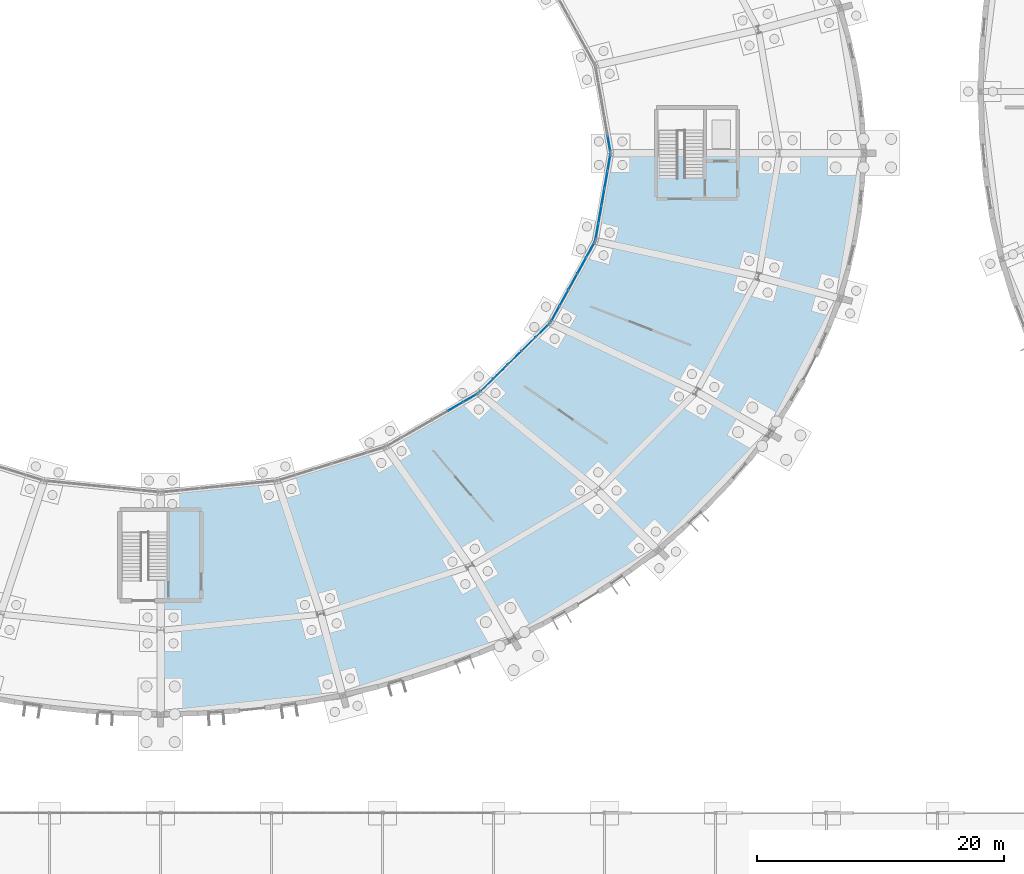
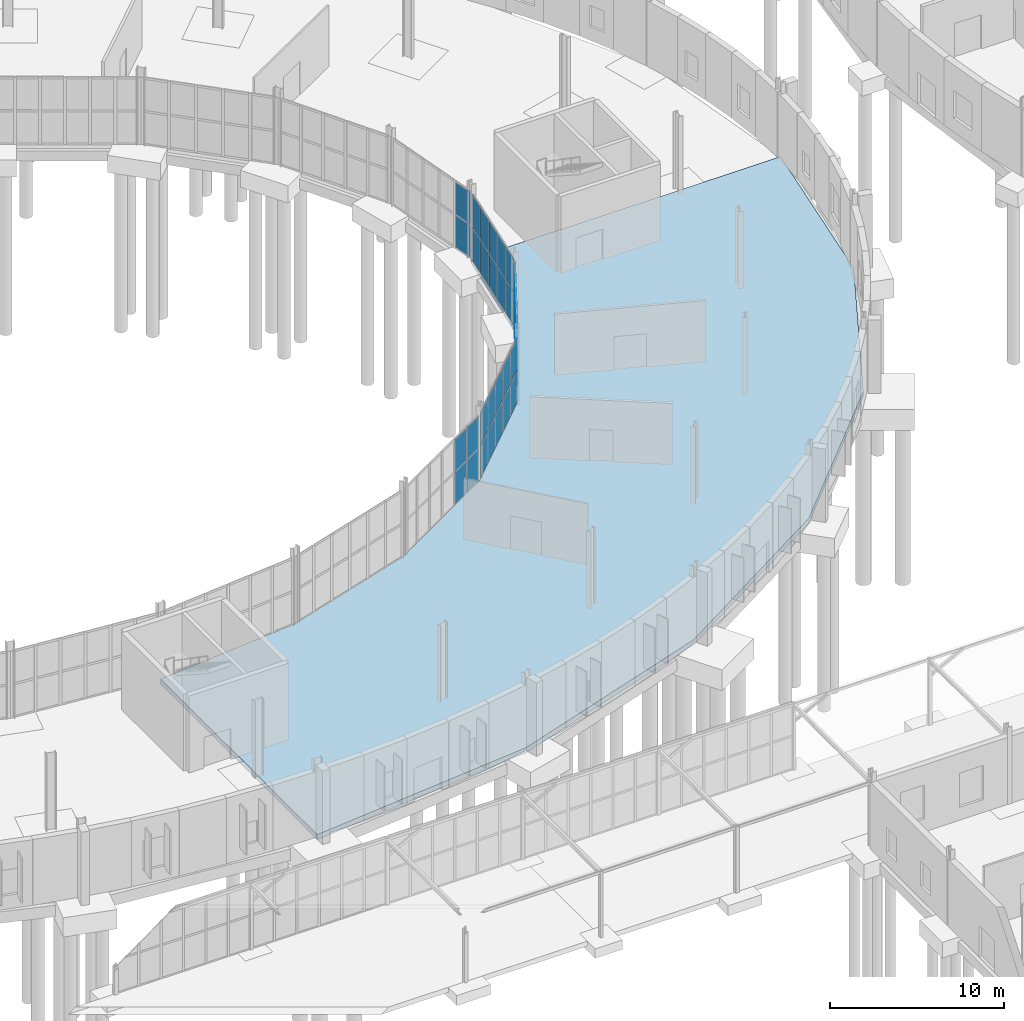
# One storey, part 76 of 118: 36 plates, 1 slab, 5 elements without a shape of their own.
"""IFC4 building model written with IfcOpenShell, lengths in metres."""

from ifc_helpers import new_model, si_unit, direction, frame, origin, origin_2d, place, context, subcontext, project, spatial, polyline, rectangle, outline, extrude, material, layer, layer_set, type_object, element, aggregate, save


model = new_model("IFC4")

# Units and contexts
model_context = context("Model", 3, precision=1e-05, world=origin(), true_north=direction((0.0, 1.0)))
body_context = subcontext(model_context, "Body", "Model", "MODEL_VIEW")
ifc_project = project(units=[si_unit("LENGTHUNIT", "METRE"), si_unit("AREAUNIT", "SQUARE_METRE"), si_unit("VOLUMEUNIT", "CUBIC_METRE"), si_unit("PLANEANGLEUNIT", "RADIAN"), si_unit("MASSUNIT", "GRAM", prefix="KILO")], contexts=[model_context])

# Site, building, storey
site_placement = place(None, origin())
site = spatial("IfcSite", under=ifc_project, at=site_placement, CompositionType="ELEMENT")
building_placement = place(site_placement, origin())
building = spatial("IfcBuilding", under=site, at=building_placement, Name="Kildeholm Park Wholesale Market", CompositionType="ELEMENT")
storey_placement = place(building_placement, origin())
storey = spatial("IfcBuildingStorey", under=building, at=storey_placement, Name="L00", CompositionType="ELEMENT", Elevation=0.0)

# Curtain wall, plates
ifc_material_1 = material(Name="Anodised aluminium and low-E double-glazed glass", Category="aluminium")
curtain_wall_type = type_object("IfcCurtainWallType", Name="Market hall glazed arcade stick curtain wall CW-01", PredefinedType="NOTDEFINED", material=ifc_material_1)
curtain_wall_1_placement = place(storey_placement, origin())
curtain_wall_1 = element("IfcCurtainWall", 1, at=curtain_wall_1_placement, inside=storey, type_object=curtain_wall_type, Name="Curtain wall CW-V1-IN0-00 CW-0003", PredefinedType="NOTDEFINED")
ifc_material_2 = material(Name="Double-glazed low-E insulated glass", Category="glass")
ifc_layer_1 = layer(ifc_material_2, 0.028076171875)
ifc_layer_set_1 = layer_set([ifc_layer_1], Name="Double-glazed low-E insulated glass")
plate_type = type_object("IfcPlateType", Name="Curtain-wall panel CWP-1 28 mm", PredefinedType="CURTAIN_PANEL", material=ifc_layer_set_1)
plate_1_placement = place(storey_placement, frame((135.374267578125, 90.260009765625, 0.06494140625), z_axis=(0.0, 0.0, 1.0), x_axis=(-0.172132515628, 0.985073802851, 0.0)))
plate_1 = element("IfcPlate", 2, at=plate_1_placement, type_object=plate_type, Name="CW-01 panel 1.1 PLT-0202", PredefinedType="CURTAIN_PANEL", context=body_context, shape_type="SweptSolid", body=[
    extrude(rectangle(XDim=1.33154296875, YDim=0.028076171875, at=origin_2d()), origin(), (0.0, 0.0, 1.0), 2.25244140625),
])
plate_2_placement = place(storey_placement, frame((135.374267578125, 90.260009765625, 2.382568359375), z_axis=(0.0, 0.0, 1.0), x_axis=(-0.172132515628, 0.985073802851, 0.0)))
plate_2 = element("IfcPlate", 3, at=plate_2_placement, type_object=plate_type, Name="CW-01 panel 1.2 PLT-0203", PredefinedType="CURTAIN_PANEL", context=body_context, shape_type="SweptSolid", body=[
    extrude(rectangle(XDim=1.33154296875, YDim=0.028076171875, at=origin_2d()), origin(), (0.0, 0.0, 1.0), 2.25244140625),
])
aggregate(curtain_wall_1, [plate_1, plate_2])

curtain_wall_2_placement = place(storey_placement, origin())
curtain_wall_2 = element("IfcCurtainWall", 4, at=curtain_wall_2_placement, inside=storey, type_object=curtain_wall_type, Name="Curtain wall CW-V1-IN0-20 CW-0101", PredefinedType="NOTDEFINED")
plate_3_placement = place(storey_placement, frame((122.905517578125, 68.948486328125, 0.06494140625), z_axis=(0.0, 0.0, 1.0), x_axis=(0.865742656621, 0.500489412982, 0.0)))
plate_3 = element("IfcPlate", 5, at=plate_3_placement, type_object=plate_type, Name="CW-01 panel 5.1 PLT-1530", PredefinedType="CURTAIN_PANEL", context=body_context, shape_type="SweptSolid", body=[
    extrude(rectangle(XDim=1.376953125, YDim=0.028076171875, at=origin_2d()), origin(), (0.0, 0.0, 1.0), 2.25244140625),
])
plate_4_placement = place(storey_placement, frame((122.905517578125, 68.948486328125, 2.382568359375), z_axis=(0.0, 0.0, 1.0), x_axis=(0.865742656621, 0.500489412982, 0.0)))
plate_4 = element("IfcPlate", 6, at=plate_4_placement, type_object=plate_type, Name="CW-01 panel 5.2 PLT-1531", PredefinedType="CURTAIN_PANEL", context=body_context, shape_type="SweptSolid", body=[
    extrude(rectangle(XDim=1.376953125, YDim=0.028076171875, at=origin_2d()), origin(), (0.0, 0.0, 1.0), 2.25244140625),
])
plate_5_placement = place(storey_placement, frame((124.1396484375, 69.662109375, 0.06494140625), z_axis=(0.0, 0.0, 1.0), x_axis=(0.865742656621, 0.500489412982, 0.0)))
plate_5 = element("IfcPlate", 7, at=plate_5_placement, type_object=plate_type, Name="CW-01 panel 6.1 PLT-1532", PredefinedType="CURTAIN_PANEL", context=body_context, shape_type="SweptSolid", body=[
    extrude(rectangle(XDim=1.344482421875, YDim=0.028076171875, at=origin_2d()), origin(), (0.0, 0.0, 1.0), 2.25244140625),
])
plate_6_placement = place(storey_placement, frame((124.1396484375, 69.662109375, 2.382568359375), z_axis=(0.0, 0.0, 1.0), x_axis=(0.865742656621, 0.500489412982, 0.0)))
plate_6 = element("IfcPlate", 8, at=plate_6_placement, type_object=plate_type, Name="CW-01 panel 6.2 PLT-1533", PredefinedType="CURTAIN_PANEL", context=body_context, shape_type="SweptSolid", body=[
    extrude(rectangle(XDim=1.344482421875, YDim=0.028076171875, at=origin_2d()), origin(), (0.0, 0.0, 1.0), 2.25244140625),
])
aggregate(curtain_wall_2, [plate_3, plate_4, plate_5, plate_6])

curtain_wall_3_placement = place(storey_placement, origin())
curtain_wall_3 = element("IfcCurtainWall", 9, at=curtain_wall_3_placement, inside=storey, type_object=curtain_wall_type, Name="Curtain wall CW-V1-IN0-21 CW-0106", PredefinedType="NOTDEFINED")
plate_7_placement = place(storey_placement, frame((125.428955078125, 70.6552734375, 0.06494140625), z_axis=(0.0, 0.0, 1.0), x_axis=(0.713537995789, 0.700616534607, 0.0)))
plate_7 = element("IfcPlate", 10, at=plate_7_placement, type_object=plate_type, Name="CW-01 panel 1.1 PLT-1590", PredefinedType="CURTAIN_PANEL", context=body_context, shape_type="SweptSolid", body=[
    extrude(rectangle(XDim=1.51220703125, YDim=0.028076171875, at=origin_2d()), origin(), (0.0, 0.0, 1.0), 2.25244140625),
])
plate_8_placement = place(storey_placement, frame((125.428955078125, 70.6552734375, 2.382568359375), z_axis=(0.0, 0.0, 1.0), x_axis=(0.713537995789, 0.700616534607, 0.0)))
plate_8 = element("IfcPlate", 11, at=plate_8_placement, type_object=plate_type, Name="CW-01 panel 1.2 PLT-1591", PredefinedType="CURTAIN_PANEL", context=body_context, shape_type="SweptSolid", body=[
    extrude(rectangle(XDim=1.51220703125, YDim=0.028076171875, at=origin_2d()), origin(), (0.0, 0.0, 1.0), 2.25244140625),
])
plate_9_placement = place(storey_placement, frame((126.56591796875, 71.771728515625, 0.06494140625), z_axis=(0.0, 0.0, 1.0), x_axis=(0.713537995789, 0.700616534607, 0.0)))
plate_9 = element("IfcPlate", 12, at=plate_9_placement, type_object=plate_type, Name="CW-01 panel 2.1 PLT-1592", PredefinedType="CURTAIN_PANEL", context=body_context, shape_type="SweptSolid", body=[
    extrude(rectangle(XDim=1.544677734375, YDim=0.028076171875, at=origin_2d()), origin(), (0.0, 0.0, 1.0), 2.25244140625),
])
plate_10_placement = place(storey_placement, frame((126.56591796875, 71.771728515625, 2.382568359375), z_axis=(0.0, 0.0, 1.0), x_axis=(0.713537995789, 0.700616534607, 0.0)))
plate_10 = element("IfcPlate", 13, at=plate_10_placement, type_object=plate_type, Name="CW-01 panel 2.2 PLT-1593", PredefinedType="CURTAIN_PANEL", context=body_context, shape_type="SweptSolid", body=[
    extrude(rectangle(XDim=1.544677734375, YDim=0.028076171875, at=origin_2d()), origin(), (0.0, 0.0, 1.0), 2.25244140625),
])
plate_11_placement = place(storey_placement, frame((127.714599609375, 72.8994140625, 0.06494140625), z_axis=(0.0, 0.0, 1.0), x_axis=(0.713537995789, 0.700616534607, 0.0)))
plate_11 = element("IfcPlate", 14, at=plate_11_placement, type_object=plate_type, Name="CW-01 panel 3.1 PLT-1594", PredefinedType="CURTAIN_PANEL", context=body_context, shape_type="SweptSolid", body=[
    extrude(rectangle(XDim=1.544677734375, YDim=0.028076171875, at=origin_2d()), origin(), (0.0, 0.0, 1.0), 2.25244140625),
])
plate_12_placement = place(storey_placement, frame((127.714599609375, 72.8994140625, 2.382568359375), z_axis=(0.0, 0.0, 1.0), x_axis=(0.713537995789, 0.700616534607, 0.0)))
plate_12 = element("IfcPlate", 15, at=plate_12_placement, type_object=plate_type, Name="CW-01 panel 3.2 PLT-1595", PredefinedType="CURTAIN_PANEL", context=body_context, shape_type="SweptSolid", body=[
    extrude(rectangle(XDim=1.544677734375, YDim=0.028076171875, at=origin_2d()), origin(), (0.0, 0.0, 1.0), 2.25244140625),
])
plate_13_placement = place(storey_placement, frame((128.863037109375, 74.02734375, 0.06494140625), z_axis=(0.0, 0.0, 1.0), x_axis=(0.713537995789, 0.700616534607, 0.0)))
plate_13 = element("IfcPlate", 16, at=plate_13_placement, type_object=plate_type, Name="CW-01 panel 4.1 PLT-1596", PredefinedType="CURTAIN_PANEL", context=body_context, shape_type="SweptSolid", body=[
    extrude(rectangle(XDim=1.544677734375, YDim=0.028076171875, at=origin_2d()), origin(), (0.0, 0.0, 1.0), 2.25244140625),
])
plate_14_placement = place(storey_placement, frame((128.863037109375, 74.02734375, 2.382568359375), z_axis=(0.0, 0.0, 1.0), x_axis=(0.713537995789, 0.700616534607, 0.0)))
plate_14 = element("IfcPlate", 17, at=plate_14_placement, type_object=plate_type, Name="CW-01 panel 4.2 PLT-1597", PredefinedType="CURTAIN_PANEL", context=body_context, shape_type="SweptSolid", body=[
    extrude(rectangle(XDim=1.544677734375, YDim=0.028076171875, at=origin_2d()), origin(), (0.0, 0.0, 1.0), 2.25244140625),
])
plate_15_placement = place(storey_placement, frame((130.0, 75.143798828125, 0.06494140625), z_axis=(0.0, 0.0, 1.0), x_axis=(0.713537995789, 0.700616534607, 0.0)))
plate_15 = element("IfcPlate", 18, at=plate_15_placement, type_object=plate_type, Name="CW-01 panel 5.1 PLT-1598", PredefinedType="CURTAIN_PANEL", context=body_context, shape_type="SweptSolid", body=[
    extrude(rectangle(XDim=1.51220703125, YDim=0.028076171875, at=origin_2d()), origin(), (0.0, 0.0, 1.0), 2.25244140625),
])
plate_16_placement = place(storey_placement, frame((130.0, 75.143798828125, 2.382568359375), z_axis=(0.0, 0.0, 1.0), x_axis=(0.713537995789, 0.700616534607, 0.0)))
plate_16 = element("IfcPlate", 19, at=plate_16_placement, type_object=plate_type, Name="CW-01 panel 5.2 PLT-1599", PredefinedType="CURTAIN_PANEL", context=body_context, shape_type="SweptSolid", body=[
    extrude(rectangle(XDim=1.51220703125, YDim=0.028076171875, at=origin_2d()), origin(), (0.0, 0.0, 1.0), 2.25244140625),
])
aggregate(curtain_wall_3, [plate_7, plate_8, plate_9, plate_10, plate_11, plate_12, plate_13, plate_14, plate_15, plate_16])

curtain_wall_4_placement = place(storey_placement, origin())
curtain_wall_4 = element("IfcCurtainWall", 20, at=curtain_wall_4_placement, inside=storey, type_object=curtain_wall_type, Name="Curtain wall CW-V1-IN0-22 CW-0111", PredefinedType="NOTDEFINED")
plate_17_placement = place(storey_placement, frame((131.003662109375, 76.45361328125, 0.06494140625), z_axis=(0.0, 0.0, 1.0), x_axis=(0.481749595055, 0.876308922506, 0.0)))
plate_17 = element("IfcPlate", 21, at=plate_17_placement, type_object=plate_type, Name="CW-01 panel 1.1 PLT-1650", PredefinedType="CURTAIN_PANEL", context=body_context, shape_type="SweptSolid", body=[
    extrude(rectangle(XDim=1.400390625, YDim=0.028076171875, at=origin_2d()), origin(), (0.0, 0.0, 1.0), 2.25244140625),
])
plate_18_placement = place(storey_placement, frame((131.003662109375, 76.45361328125, 2.382568359375), z_axis=(0.0, 0.0, 1.0), x_axis=(0.481749595055, 0.876308922506, 0.0)))
plate_18 = element("IfcPlate", 22, at=plate_18_placement, type_object=plate_type, Name="CW-01 panel 1.2 PLT-1651", PredefinedType="CURTAIN_PANEL", context=body_context, shape_type="SweptSolid", body=[
    extrude(rectangle(XDim=1.400390625, YDim=0.028076171875, at=origin_2d()), origin(), (0.0, 0.0, 1.0), 2.25244140625),
])
plate_19_placement = place(storey_placement, frame((131.71728515625, 77.751953125, 0.06494140625), z_axis=(0.0, 0.0, 1.0), x_axis=(0.481749595055, 0.876308922506, 0.0)))
plate_19 = element("IfcPlate", 23, at=plate_19_placement, type_object=plate_type, Name="CW-01 panel 2.1 PLT-1652", PredefinedType="CURTAIN_PANEL", context=body_context, shape_type="SweptSolid", body=[
    extrude(rectangle(XDim=1.432861328125, YDim=0.028076171875, at=origin_2d()), origin(), (0.0, 0.0, 1.0), 2.25244140625),
])
plate_20_placement = place(storey_placement, frame((131.71728515625, 77.751953125, 2.382568359375), z_axis=(0.0, 0.0, 1.0), x_axis=(0.481749595055, 0.876308922506, 0.0)))
plate_20 = element("IfcPlate", 24, at=plate_20_placement, type_object=plate_type, Name="CW-01 panel 2.2 PLT-1653", PredefinedType="CURTAIN_PANEL", context=body_context, shape_type="SweptSolid", body=[
    extrude(rectangle(XDim=1.432861328125, YDim=0.028076171875, at=origin_2d()), origin(), (0.0, 0.0, 1.0), 2.25244140625),
])
plate_21_placement = place(storey_placement, frame((132.43896484375, 79.064453125, 0.06494140625), z_axis=(0.0, 0.0, 1.0), x_axis=(0.481749595055, 0.876308922506, 0.0)))
plate_21 = element("IfcPlate", 25, at=plate_21_placement, type_object=plate_type, Name="CW-01 panel 3.1 PLT-1654", PredefinedType="CURTAIN_PANEL", context=body_context, shape_type="SweptSolid", body=[
    extrude(rectangle(XDim=1.432861328125, YDim=0.028076171875, at=origin_2d()), origin(), (0.0, 0.0, 1.0), 2.25244140625),
])
plate_22_placement = place(storey_placement, frame((132.43896484375, 79.064453125, 2.382568359375), z_axis=(0.0, 0.0, 1.0), x_axis=(0.481749595055, 0.876308922506, 0.0)))
plate_22 = element("IfcPlate", 26, at=plate_22_placement, type_object=plate_type, Name="CW-01 panel 3.2 PLT-1655", PredefinedType="CURTAIN_PANEL", context=body_context, shape_type="SweptSolid", body=[
    extrude(rectangle(XDim=1.432861328125, YDim=0.028076171875, at=origin_2d()), origin(), (0.0, 0.0, 1.0), 2.25244140625),
])
plate_23_placement = place(storey_placement, frame((133.16064453125, 80.377197265625, 0.06494140625), z_axis=(0.0, 0.0, 1.0), x_axis=(0.481749595055, 0.876308922506, 0.0)))
plate_23 = element("IfcPlate", 27, at=plate_23_placement, type_object=plate_type, Name="CW-01 panel 4.1 PLT-1656", PredefinedType="CURTAIN_PANEL", context=body_context, shape_type="SweptSolid", body=[
    extrude(rectangle(XDim=1.432861328125, YDim=0.028076171875, at=origin_2d()), origin(), (0.0, 0.0, 1.0), 2.25244140625),
])
plate_24_placement = place(storey_placement, frame((133.16064453125, 80.377197265625, 2.382568359375), z_axis=(0.0, 0.0, 1.0), x_axis=(0.481749595055, 0.876308922506, 0.0)))
plate_24 = element("IfcPlate", 28, at=plate_24_placement, type_object=plate_type, Name="CW-01 panel 4.2 PLT-1657", PredefinedType="CURTAIN_PANEL", context=body_context, shape_type="SweptSolid", body=[
    extrude(rectangle(XDim=1.432861328125, YDim=0.028076171875, at=origin_2d()), origin(), (0.0, 0.0, 1.0), 2.25244140625),
])
plate_25_placement = place(storey_placement, frame((133.874267578125, 81.675537109375, 0.06494140625), z_axis=(0.0, 0.0, 1.0), x_axis=(0.481749595055, 0.876308922506, 0.0)))
plate_25 = element("IfcPlate", 29, at=plate_25_placement, type_object=plate_type, Name="CW-01 panel 5.1 PLT-1658", PredefinedType="CURTAIN_PANEL", context=body_context, shape_type="SweptSolid", body=[
    extrude(rectangle(XDim=1.400390625, YDim=0.028076171875, at=origin_2d()), origin(), (0.0, 0.0, 1.0), 2.25244140625),
])
plate_26_placement = place(storey_placement, frame((133.874267578125, 81.675537109375, 2.382568359375), z_axis=(0.0, 0.0, 1.0), x_axis=(0.481749595055, 0.876308922506, 0.0)))
plate_26 = element("IfcPlate", 30, at=plate_26_placement, type_object=plate_type, Name="CW-01 panel 5.2 PLT-1659", PredefinedType="CURTAIN_PANEL", context=body_context, shape_type="SweptSolid", body=[
    extrude(rectangle(XDim=1.400390625, YDim=0.028076171875, at=origin_2d()), origin(), (0.0, 0.0, 1.0), 2.25244140625),
])
aggregate(curtain_wall_4, [plate_17, plate_18, plate_19, plate_20, plate_21, plate_22, plate_23, plate_24, plate_25, plate_26])

curtain_wall_5_placement = place(storey_placement, origin())
curtain_wall_5 = element("IfcCurtainWall", 31, at=curtain_wall_5_placement, inside=storey, type_object=curtain_wall_type, Name="Curtain wall CW-V1-IN0-23 CW-0116", PredefinedType="NOTDEFINED")
plate_27_placement = place(storey_placement, frame((134.395751953125, 83.140869140625, 0.06494140625), z_axis=(0.0, 0.0, 1.0), x_axis=(0.172132515628, 0.985073802851, 0.0)))
plate_27 = element("IfcPlate", 32, at=plate_27_placement, type_object=plate_type, Name="CW-01 panel 1.1 PLT-1710", PredefinedType="CURTAIN_PANEL", context=body_context, shape_type="SweptSolid", body=[
    extrude(rectangle(XDim=1.33154296875, YDim=0.028076171875, at=origin_2d()), origin(), (0.0, 0.0, 1.0), 2.25244140625),
])
plate_28_placement = place(storey_placement, frame((134.395751953125, 83.140869140625, 2.382568359375), z_axis=(0.0, 0.0, 1.0), x_axis=(0.172132515628, 0.985073802851, 0.0)))
plate_28 = element("IfcPlate", 33, at=plate_28_placement, type_object=plate_type, Name="CW-01 panel 1.2 PLT-1711", PredefinedType="CURTAIN_PANEL", context=body_context, shape_type="SweptSolid", body=[
    extrude(rectangle(XDim=1.33154296875, YDim=0.028076171875, at=origin_2d()), origin(), (0.0, 0.0, 1.0), 2.25244140625),
])
plate_29_placement = place(storey_placement, frame((134.638916015625, 84.53271484375, 0.06494140625), z_axis=(0.0, 0.0, 1.0), x_axis=(0.172132515628, 0.985073802851, 0.0)))
plate_29 = element("IfcPlate", 34, at=plate_29_placement, type_object=plate_type, Name="CW-01 panel 2.1 PLT-1712", PredefinedType="CURTAIN_PANEL", context=body_context, shape_type="SweptSolid", body=[
    extrude(rectangle(XDim=1.364013671875, YDim=0.028076171875, at=origin_2d()), origin(), (0.0, 0.0, 1.0), 2.25244140625),
])
plate_30_placement = place(storey_placement, frame((134.638916015625, 84.53271484375, 2.382568359375), z_axis=(0.0, 0.0, 1.0), x_axis=(0.172132515628, 0.985073802851, 0.0)))
plate_30 = element("IfcPlate", 35, at=plate_30_placement, type_object=plate_type, Name="CW-01 panel 2.2 PLT-1713", PredefinedType="CURTAIN_PANEL", context=body_context, shape_type="SweptSolid", body=[
    extrude(rectangle(XDim=1.364013671875, YDim=0.028076171875, at=origin_2d()), origin(), (0.0, 0.0, 1.0), 2.25244140625),
])
plate_31_placement = place(storey_placement, frame((134.885009765625, 85.9404296875, 0.06494140625), z_axis=(0.0, 0.0, 1.0), x_axis=(0.172132515628, 0.985073802851, 0.0)))
plate_31 = element("IfcPlate", 36, at=plate_31_placement, type_object=plate_type, Name="CW-01 panel 3.1 PLT-1714", PredefinedType="CURTAIN_PANEL", context=body_context, shape_type="SweptSolid", body=[
    extrude(rectangle(XDim=1.364013671875, YDim=0.028076171875, at=origin_2d()), origin(), (0.0, 0.0, 1.0), 2.25244140625),
])
plate_32_placement = place(storey_placement, frame((134.885009765625, 85.9404296875, 2.382568359375), z_axis=(0.0, 0.0, 1.0), x_axis=(0.172132515628, 0.985073802851, 0.0)))
plate_32 = element("IfcPlate", 37, at=plate_32_placement, type_object=plate_type, Name="CW-01 panel 3.2 PLT-1715", PredefinedType="CURTAIN_PANEL", context=body_context, shape_type="SweptSolid", body=[
    extrude(rectangle(XDim=1.364013671875, YDim=0.028076171875, at=origin_2d()), origin(), (0.0, 0.0, 1.0), 2.25244140625),
])
plate_33_placement = place(storey_placement, frame((135.131103515625, 87.348388671875, 0.06494140625), z_axis=(0.0, 0.0, 1.0), x_axis=(0.172132515628, 0.985073802851, 0.0)))
plate_33 = element("IfcPlate", 38, at=plate_33_placement, type_object=plate_type, Name="CW-01 panel 4.1 PLT-1716", PredefinedType="CURTAIN_PANEL", context=body_context, shape_type="SweptSolid", body=[
    extrude(rectangle(XDim=1.364013671875, YDim=0.028076171875, at=origin_2d()), origin(), (0.0, 0.0, 1.0), 2.25244140625),
])
plate_34_placement = place(storey_placement, frame((135.131103515625, 87.348388671875, 2.382568359375), z_axis=(0.0, 0.0, 1.0), x_axis=(0.172132515628, 0.985073802851, 0.0)))
plate_34 = element("IfcPlate", 39, at=plate_34_placement, type_object=plate_type, Name="CW-01 panel 4.2 PLT-1717", PredefinedType="CURTAIN_PANEL", context=body_context, shape_type="SweptSolid", body=[
    extrude(rectangle(XDim=1.364013671875, YDim=0.028076171875, at=origin_2d()), origin(), (0.0, 0.0, 1.0), 2.25244140625),
])
plate_35_placement = place(storey_placement, frame((135.374267578125, 88.739990234375, 0.06494140625), z_axis=(0.0, 0.0, 1.0), x_axis=(0.172132515628, 0.985073802851, 0.0)))
plate_35 = element("IfcPlate", 40, at=plate_35_placement, type_object=plate_type, Name="CW-01 panel 5.1 PLT-1718", PredefinedType="CURTAIN_PANEL", context=body_context, shape_type="SweptSolid", body=[
    extrude(rectangle(XDim=1.33154296875, YDim=0.028076171875, at=origin_2d()), origin(), (0.0, 0.0, 1.0), 2.25244140625),
])
plate_36_placement = place(storey_placement, frame((135.374267578125, 88.739990234375, 2.382568359375), z_axis=(0.0, 0.0, 1.0), x_axis=(0.172132515628, 0.985073802851, 0.0)))
plate_36 = element("IfcPlate", 41, at=plate_36_placement, type_object=plate_type, Name="CW-01 panel 5.2 PLT-1719", PredefinedType="CURTAIN_PANEL", context=body_context, shape_type="SweptSolid", body=[
    extrude(rectangle(XDim=1.33154296875, YDim=0.028076171875, at=origin_2d()), origin(), (0.0, 0.0, 1.0), 2.25244140625),
])
aggregate(curtain_wall_5, [plate_27, plate_28, plate_29, plate_30, plate_31, plate_32, plate_33, plate_34, plate_35, plate_36])

# Slab
ifc_material_3 = material(Name="Concrete C40/50", Category="concrete")
ifc_layer_2 = layer(ifc_material_3, 0.360107421875)
ifc_layer_set_2 = layer_set([ifc_layer_2], Name="Concrete C40/50")
slab_type = type_object("IfcSlabType", Name="Slab S-BS3 360 mm", PredefinedType="BASESLAB", material=ifc_layer_set_2)
slab_placement = place(storey_placement, frame((0.0, 0.0, -0.360107421875)))
element("IfcSlab", 42, at=slab_placement, inside=storey, type_object=slab_type, Name="Produce hall ground slab quadrant 4 SLB-0010", PredefinedType="BASESLAB", context=body_context, shape_type="SweptSolid", body=[
    extrude(outline(polyline([(99.0, 44.0), (113.7529296875, 45.550048828125), (127.5, 50.095947265625), (139.304931640625, 57.326904296875), (148.363037109375, 66.75), (154.05810546875, 77.72412109375), (156.0, 89.5), (135.5, 89.5), (134.256103515625, 82.382080078125), (130.610107421875, 75.75), (124.80908203125, 70.054931640625), (117.25, 65.68408203125), (108.447021484375, 62.93701171875), (99.0, 62.0), (99.0, 44.0)])), origin(), (0.0, 0.0, 1.0), 0.360107421875),
])

save(model, "model.ifc")
